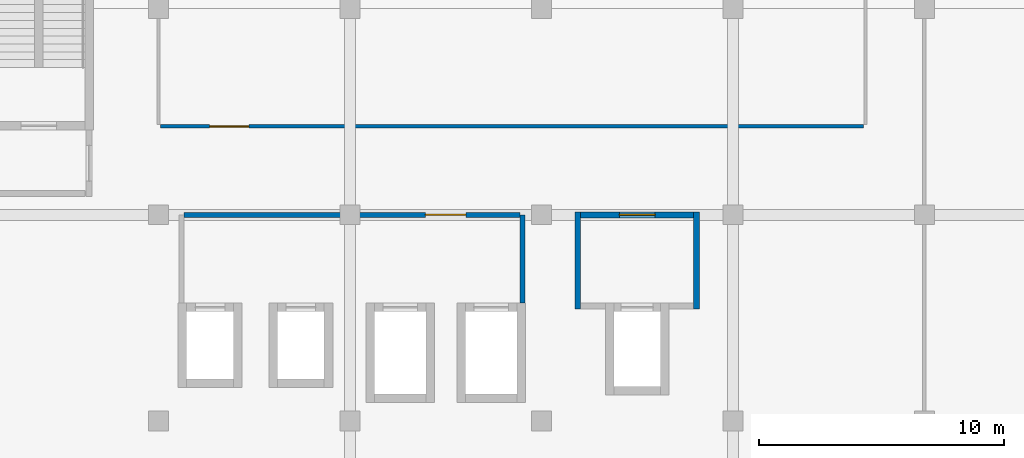
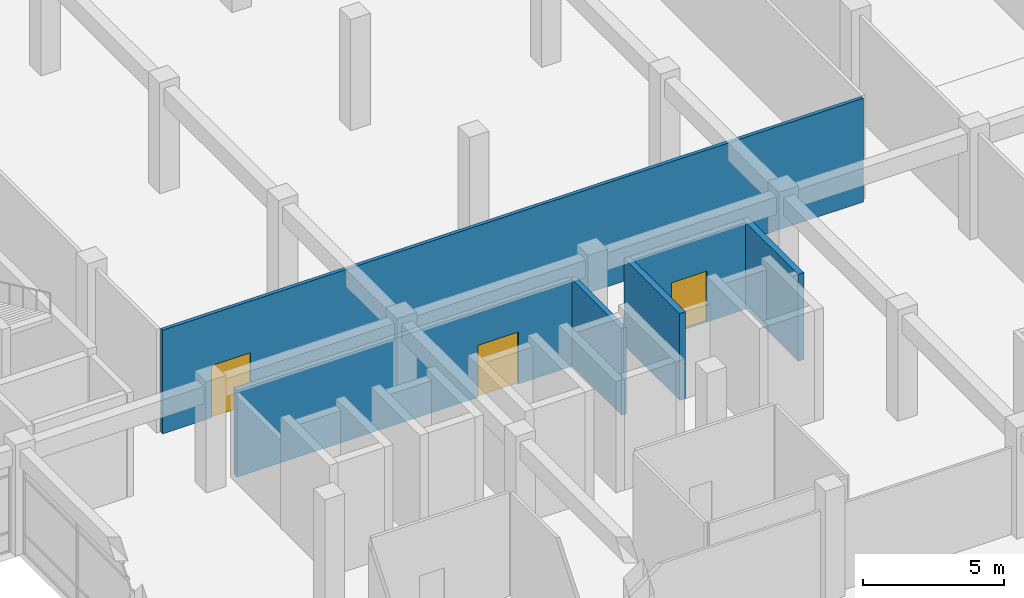
# One storey, part 44 of 62: 6 walls, 3 doors, 3 openings.
"""IFC4 building model written with IfcOpenShell, lengths in metres."""

from ifc_helpers import new_model, si_unit, direction, frame, frame_2d, origin, place, context, subcontext, project, spatial, rectangle, extrude, material, layer, layer_set, type_object, element, fill, save


model = new_model("IFC4")

# Units and contexts
model_context = context("Model", 3, precision=1e-05, world=origin(), true_north=direction((0.0, 1.0)))
body_context = subcontext(model_context, "Body", "Model", "MODEL_VIEW")
ifc_project = project(units=[si_unit("LENGTHUNIT", "METRE"), si_unit("AREAUNIT", "SQUARE_METRE"), si_unit("VOLUMEUNIT", "CUBIC_METRE"), si_unit("PLANEANGLEUNIT", "RADIAN"), si_unit("MASSUNIT", "GRAM", prefix="KILO"), si_unit("THERMODYNAMICTEMPERATUREUNIT", "KELVIN"), si_unit("POWERUNIT", "WATT")], contexts=[model_context])

# Site, building, storey
site_placement = place(None, origin())
site = spatial("IfcSite", under=ifc_project, at=site_placement, CompositionType="ELEMENT")
building_placement = place(site_placement, origin())
building = spatial("IfcBuilding", under=site, at=building_placement, Name="Srebrne Nadtorze General Hospital", CompositionType="ELEMENT")
storey_placement = place(building_placement, frame((0.0, 0.0, 9.60009765625)))
storey = spatial("IfcBuildingStorey", under=building, at=storey_placement, Name="L02", CompositionType="ELEMENT", Elevation=9.60009765625)

# Wall, opening, door
ifc_material_1 = material(Name="Gypsum Healthcare Partition")
ifc_layer_1 = layer(ifc_material_1, 0.139892578125)
ifc_layer_set_1 = layer_set([ifc_layer_1], Name="Gypsum Healthcare Partition")
wall_type_1 = type_object("IfcWallType", Name="Clinical partition 140", PredefinedType="PARTITIONING", material=ifc_layer_set_1)
wall_1_placement = place(storey_placement, frame((109.284912109375, 54.0, 0.0), z_axis=(0.0, 0.0, 1.0), x_axis=(1.0, 0.0, 0.0)))
wall_1 = element("IfcWall", 1, at=wall_1_placement, inside=storey, type_object=wall_type_1, Name="Haemodialysis and Renal Care Unit wall WL-INT-L02-1537", PredefinedType="PARTITIONING", context=body_context, shape_type="SweptSolid", body=[
    extrude(rectangle(XDim=28.630126953125, YDim=0.139892578125, at=frame_2d((14.31494140625, 0.0))), origin(), (0.0, 0.0, 1.0), 4.47998046875),
])
opening_1_placement = place(wall_1_placement, frame((1.995361328125, 0.0, 0.0)))
opening_1 = element("IfcOpeningElement", 2, at=opening_1_placement, cuts=wall_1, Name="Opening D-L02-0248", PredefinedType="OPENING", context=body_context, shape_type="SweptSolid", body=[
    extrude(rectangle(XDim=1.60009765625, YDim=2.25, at=frame_2d((0.800048828125, 1.125))), frame((0.0, 0.08203125, 0.0), z_axis=(0.0, -1.0, 0.0), x_axis=(1.0, 0.0, 0.0)), (0.0, 0.0, 1.0), 0.163818359375),
])
ifc_material_2 = material(Name="Anodised Aluminium", Category="aluminium")
door_type_1 = type_object("IfcDoorType", Name="Double leaf door 1600x2250", OperationType="DOUBLE_DOOR_SINGLE_SWING", PredefinedType="DOOR", material=ifc_material_2)
door_1_placement = place(opening_1_placement, origin())
door_1 = element("IfcDoor", 3, at=door_1_placement, inside=storey, type_object=door_type_1, Name="Haemodialysis and Renal Care Unit door D-L02-0248", OperationType="DOUBLE_DOOR_SINGLE_SWING", OverallHeight=2.25, OverallWidth=1.60009765625, PredefinedType="DOOR", context=body_context, shape_type="SweptSolid", body=[
    extrude(rectangle(XDim=1.60009765625, YDim=2.25, at=frame_2d((0.800048828125, 1.125))), frame((0.0, 0.02490234375, 0.0), z_axis=(0.0, -1.0, 0.0), x_axis=(1.0, 0.0, 0.0)), (0.0, 0.0, 1.0), 0.050048828125),
])
fill(opening_1, door_1)

# Wall
ifc_material_3 = material(Name="Gypsum Healthcare Partition")
ifc_layer_2 = layer(ifc_material_3, 0.199951171875)
ifc_layer_set_2 = layer_set([ifc_layer_2], Name="Gypsum Healthcare Partition")
wall_type_2 = type_object("IfcWallType", Name="Compartment wall 200", PredefinedType="STANDARD", material=ifc_layer_set_2)
wall_2_placement = place(storey_placement, frame((124.02001953125, 46.81005859375, 0.0), z_axis=(0.0, 0.0, 1.0), x_axis=(0.0, 1.0, 0.0)))
element("IfcWall", 4, at=wall_2_placement, inside=storey, type_object=wall_type_2, Name="Lift lobby side wall WL-INT-L02-1000", PredefinedType="STANDARD", context=body_context, shape_type="SweptSolid", body=[
    extrude(rectangle(XDim=3.58984375, YDim=0.199951171875, at=frame_2d((1.794921875, 0.0))), origin(), (0.0, 0.0, 1.0), 3.75),
])

# Wall, opening, door
wall_3_placement = place(storey_placement, frame((110.22998046875, 50.39990234375, 0.0), z_axis=(0.0, 0.0, 1.0), x_axis=(1.0, 0.0, 0.0)))
wall_3 = element("IfcWall", 5, at=wall_3_placement, inside=storey, type_object=wall_type_2, Name="Lift lobby corridor wall WL-INT-L02-1001", PredefinedType="STANDARD", context=body_context, shape_type="SweptSolid", body=[
    extrude(rectangle(XDim=13.68994140625, YDim=0.199951171875, at=frame_2d((6.844970703125, 0.0))), origin(), (0.0, 0.0, 1.0), 3.75),
])
opening_2_placement = place(wall_3_placement, frame((9.844970703125, 0.0, 0.0)))
opening_2 = element("IfcOpeningElement", 6, at=opening_2_placement, cuts=wall_3, Name="Opening D-L02-0136", PredefinedType="OPENING", context=body_context, shape_type="SweptSolid", body=[
    extrude(rectangle(XDim=1.64990234375, YDim=2.25, at=frame_2d((0.824951171875, 1.125))), frame((0.0, 0.11181640625, 0.0), z_axis=(0.0, -1.0, 0.0), x_axis=(1.0, 0.0, 0.0)), (0.0, 0.0, 1.0), 0.223876953125),
])
ifc_material_4 = material(Name="Anodised Aluminium", Category="aluminium")
door_type_2 = type_object("IfcDoorType", Name="Double leaf door 1650x2250", OperationType="DOUBLE_DOOR_SINGLE_SWING", PredefinedType="DOOR", material=ifc_material_4)
door_2_placement = place(opening_2_placement, origin())
door_2 = element("IfcDoor", 7, at=door_2_placement, inside=storey, type_object=door_type_2, Name="Lift lobby corridor door D-L02-0136", OperationType="DOUBLE_DOOR_SINGLE_SWING", OverallHeight=2.25, OverallWidth=1.64990234375, PredefinedType="DOOR", context=body_context, shape_type="SweptSolid", body=[
    extrude(rectangle(XDim=1.64990234375, YDim=2.25, at=frame_2d((0.824951171875, 1.125))), frame((0.0, 0.02490234375, 0.0), z_axis=(0.0, -1.0, 0.0), x_axis=(1.0, 0.0, 0.0)), (0.0, 0.0, 1.0), 0.050048828125),
])
fill(opening_2, door_2)

# Walls
ifc_material_5 = material(Name="Gypsum Healthcare Partition")
ifc_layer_3 = layer(ifc_material_5, 0.239990234375)
ifc_layer_set_3 = layer_set([ifc_layer_3], Name="Gypsum Healthcare Partition")
wall_type_3 = type_object("IfcWallType", Name="Corridor fire wall 240", PredefinedType="STANDARD", material=ifc_layer_set_3)
for number, where, z_axis, x_axis, name in (
    (8, (126.280029296875, 46.570068359375, 0.0), (0.0, 0.0, 1.0), (0.0, 1.0, 0.0), "FF lift lobby wall WL-INT-L02-0994"),
    (9, (131.1201171875, 46.570068359375, 0.0), (0.0, 0.0, 1.0), (0.0, 1.0, 0.0), "FF lift lobby wall WL-INT-L02-0995"),
):
    element("IfcWall", number, at=place(storey_placement, frame(where, z_axis=z_axis, x_axis=x_axis)), inside=storey, type_object=wall_type_3, Name=name, PredefinedType="STANDARD", context=body_context, shape_type="SweptSolid", body=[
        extrude(rectangle(XDim=3.949951171875, YDim=0.239990234375, at=frame_2d((1.97509765625, 0.0))), origin(), (0.0, 0.0, 1.0), 3.75),
    ])

# Wall, opening, door
wall_4_placement = place(storey_placement, frame((126.39990234375, 50.39990234375, 0.0), z_axis=(0.0, 0.0, 1.0), x_axis=(1.0, 0.0, 0.0)))
wall_4 = element("IfcWall", 10, at=wall_4_placement, inside=storey, type_object=wall_type_3, Name="FF lift lobby front wall WL-INT-L02-0998", PredefinedType="STANDARD", context=body_context, shape_type="SweptSolid", body=[
    extrude(rectangle(XDim=4.60009765625, YDim=0.239990234375, at=frame_2d((2.300048828125, 0.0))), origin(), (0.0, 0.0, 1.0), 3.75),
])
opening_3_placement = place(wall_4_placement, frame((1.574951171875, 0.0, 0.0)))
opening_3 = element("IfcOpeningElement", 11, at=opening_3_placement, cuts=wall_4, Name="Opening D-L02-0135", PredefinedType="OPENING", context=body_context, shape_type="SweptSolid", body=[
    extrude(rectangle(XDim=1.449951171875, YDim=2.199951171875, at=frame_2d((0.72509765625, 1.10009765625))), frame((0.0, 0.1318359375, 0.0), z_axis=(0.0, -1.0, 0.0), x_axis=(1.0, 0.0, 0.0)), (0.0, 0.0, 1.0), 0.263916015625),
])
ifc_material_6 = material(Name="Anodised Aluminium", Category="aluminium")
door_type_3 = type_object("IfcDoorType", Name="Double leaf door 1450x2200", OperationType="DOUBLE_DOOR_SINGLE_SWING", PredefinedType="DOOR", material=ifc_material_6)
door_3_placement = place(opening_3_placement, origin())
door_3 = element("IfcDoor", 12, at=door_3_placement, inside=storey, type_object=door_type_3, Name="Firefighting lift lobby door D-L02-0135", OperationType="DOUBLE_DOOR_SINGLE_SWING", OverallHeight=2.199951171875, OverallWidth=1.449951171875, PredefinedType="DOOR", context=body_context, shape_type="SweptSolid", body=[
    extrude(rectangle(XDim=1.449951171875, YDim=2.199951171875, at=frame_2d((0.72509765625, 1.10009765625))), frame((0.0, 0.02490234375, 0.0), z_axis=(0.0, -1.0, 0.0), x_axis=(1.0, 0.0, 0.0)), (0.0, 0.0, 1.0), 0.050048828125),
])
fill(opening_3, door_3)

save(model, "model.ifc")
